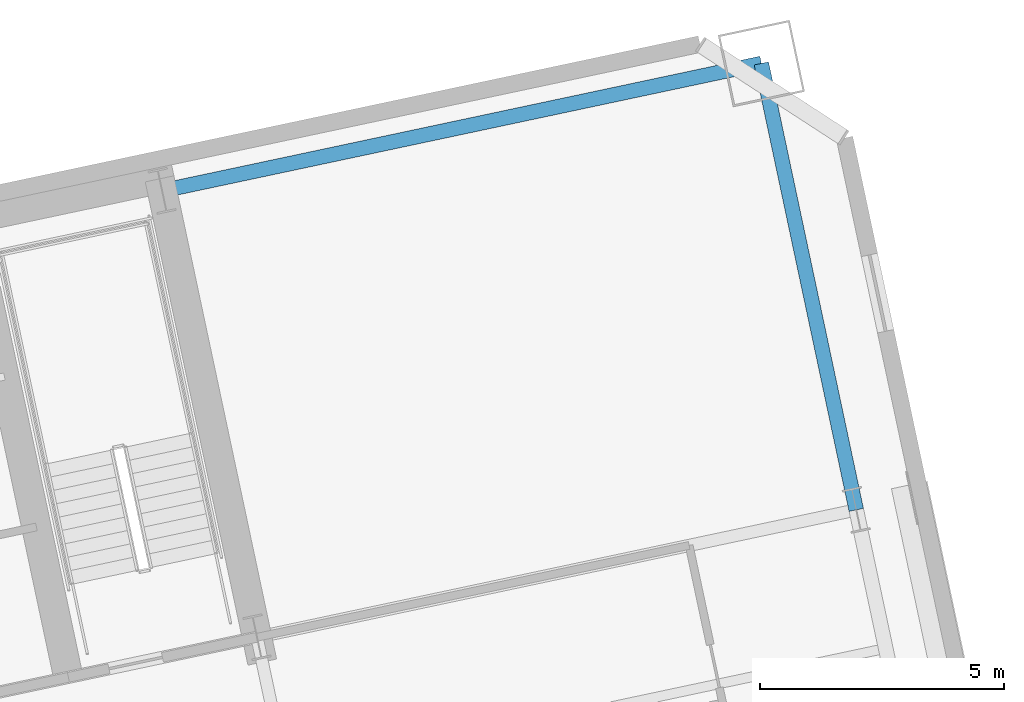
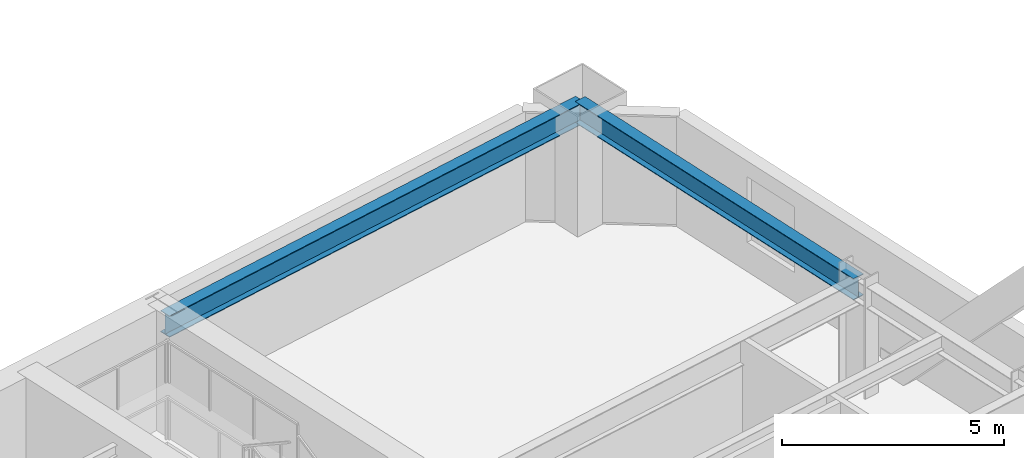
# One storey, part 8 of 25: 2 beams.
"""IFC4 building model written with IfcOpenShell, lengths in metres."""

from ifc_helpers import new_model, si_unit, direction, frame, origin, origin_2d, place, context, subcontext, project, spatial, i_section, extrude, material, material_profile, profile_set, type_object, element, save


model = new_model("IFC4")

# Units and contexts
model_context = context("Model", 3, precision=1e-05, world=origin(), true_north=direction((0.0, 1.0)))
body_context = subcontext(model_context, "Body", "Model", "MODEL_VIEW")
ifc_project = project(units=[si_unit("LENGTHUNIT", "METRE"), si_unit("AREAUNIT", "SQUARE_METRE"), si_unit("VOLUMEUNIT", "CUBIC_METRE"), si_unit("PLANEANGLEUNIT", "RADIAN"), si_unit("MASSUNIT", "GRAM", prefix="KILO")], contexts=[model_context])

# Site, building, storey
site_placement = place(None, origin())
site = spatial("IfcSite", under=ifc_project, at=site_placement, CompositionType="ELEMENT")
building_placement = place(site_placement, origin())
building = spatial("IfcBuilding", under=site, at=building_placement, Name="Haevon Station Towers", CompositionType="ELEMENT")
storey_placement = place(building_placement, frame((0.0, 0.0, 50.39990234375)))
storey = spatial("IfcBuildingStorey", under=building, at=storey_placement, Name="L12", CompositionType="ELEMENT", Elevation=50.39990234375)

# Beams
ifc_material = material(Name="Steel S355", Category="steel")
ifc_material_profile = material_profile(ifc_material, i_section(OverallWidth=0.300048828125, OverallDepth=0.587890625, WebThickness=0.011962890625, FlangeThickness=0.02001953125, at=origin_2d()), Name="H-588x300x12x20")
ifc_profile_set = profile_set([ifc_material_profile], Name="Steel S355")
beam_type = type_object("IfcBeamType", Name="BM-SP588", PredefinedType="SPANDREL", material=ifc_profile_set)
beam_1_placement = place(storey_placement, frame((117.349365234375, 50.954345703125, 2.756103515625), z_axis=(0.978150643069, 0.207897377242, 0.0), x_axis=(-0.207897377242, 0.978150643069, 0.0)))
element("IfcBeam", 1, at=beam_1_placement, inside=storey, type_object=beam_type, Name="BM-T2U-L12-04-04", PredefinedType="SPANDREL", context=body_context, shape_type="SweptSolid", body=[
    extrude(i_section(OverallWidth=0.300048828125, OverallDepth=0.587890625, WebThickness=0.011962890625, FlangeThickness=0.02001953125, at=origin_2d()), origin(), (0.0, 0.0, 1.0), 12.550048828125),
])
beam_2_placement = place(storey_placement, frame((131.569091796875, 44.41796875, 2.756103515625), z_axis=(-0.207902477038, 0.978149559138, 0.0), x_axis=(-0.978149559138, -0.207902477038, 0.0)))
element("IfcBeam", 2, at=beam_2_placement, inside=storey, type_object=beam_type, Name="BM-T2V-L12-05-03", PredefinedType="SPANDREL", context=body_context, shape_type="SweptSolid", body=[
    extrude(i_section(OverallWidth=0.300048828125, OverallDepth=0.587890625, WebThickness=0.011962890625, FlangeThickness=0.02001953125, at=origin_2d()), origin(), (0.0, 0.0, 1.0), 9.349853515625),
])

save(model, "model.ifc")
